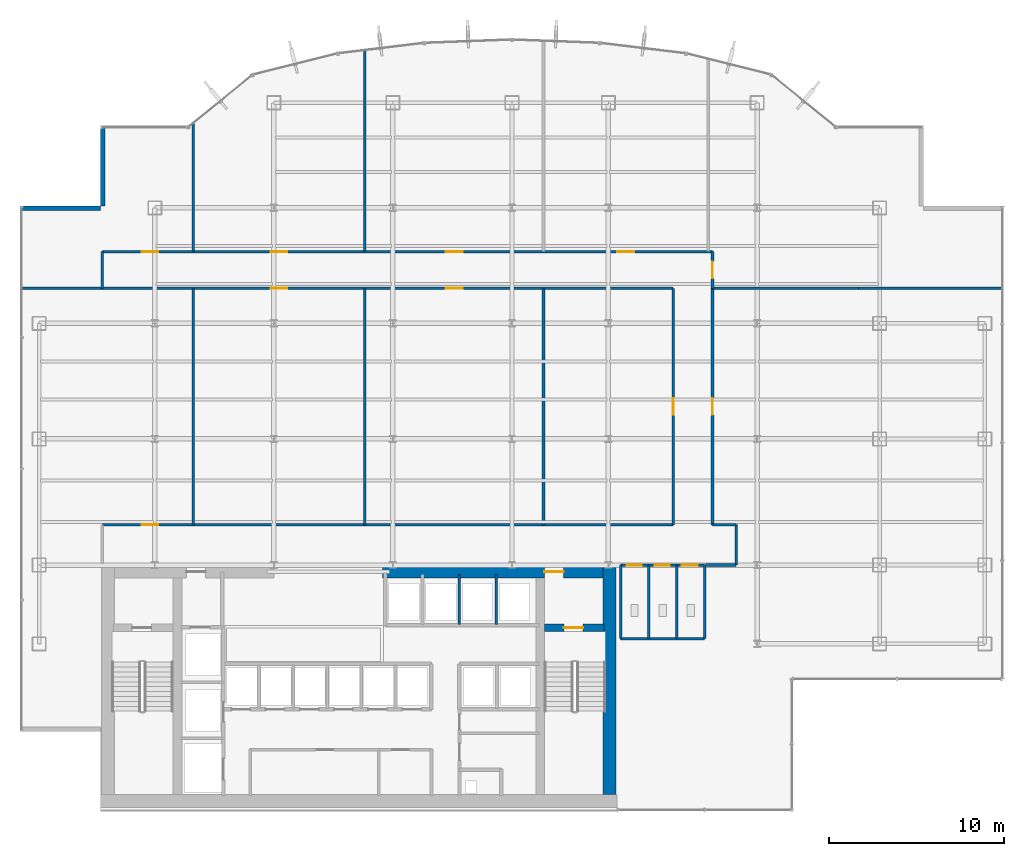
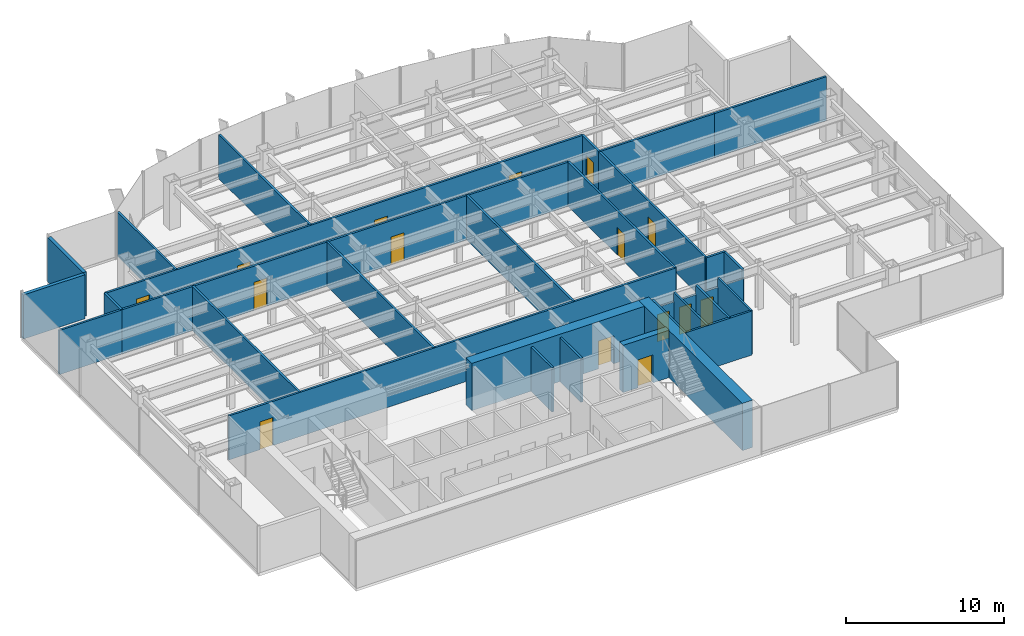
# One storey, part 22 of 26: 31 walls, 15 doors, 15 openings.
"""IFC4 building model written with IfcOpenShell, lengths in metres."""

from ifc_helpers import new_model, si_unit, derived_unit, direction, frame, frame_2d, origin, place, context, subcontext, project, spatial, rectangle, extrude, source, transform, mapped, material, layer, layer_set, type_object, element, fill, save


model = new_model("IFC4")

# Units and contexts
model_context = context("Model", 3, precision=1e-05, world=origin(), true_north=direction((0.0, 1.0)))
body_context = subcontext(model_context, "Body", "Model", "MODEL_VIEW")
ifc_project = project(units=[si_unit("LENGTHUNIT", "METRE"), si_unit("AREAUNIT", "SQUARE_METRE"), si_unit("VOLUMEUNIT", "CUBIC_METRE"), si_unit("PLANEANGLEUNIT", "RADIAN"), si_unit("MASSUNIT", "GRAM", prefix="KILO"), derived_unit("THERMALTRANSMITTANCEUNIT", [(si_unit("POWERUNIT", "WATT"), 1), (si_unit("LENGTHUNIT", "METRE"), -2), (si_unit("THERMODYNAMICTEMPERATUREUNIT", "KELVIN"), -1)])], contexts=[model_context])

# Site, building, storey
site_placement = place(None, origin())
site = spatial("IfcSite", under=ifc_project, at=site_placement, CompositionType="ELEMENT")
building_placement = place(site_placement, origin())
building = spatial("IfcBuilding", under=site, at=building_placement, Name="Skarnbrae Concourse Arena and Tower", CompositionType="ELEMENT")
storey_placement = place(building_placement, frame((0.0, 0.0, 121.5)))
storey = spatial("IfcBuildingStorey", under=building, at=storey_placement, Name="L30", CompositionType="ELEMENT", Elevation=121.5)

# Wall, opening, door
ifc_material_1 = material(Name="Concrete 50 MPa (C50/60)", Category="concrete")
ifc_layer_1 = layer(ifc_material_1, 0.449951171875)
ifc_layer_set_1 = layer_set([ifc_layer_1], Name="Concrete 50 MPa (C50/60)")
wall_type_1 = type_object("IfcWallType", Name="WALL-CORE-450-C50", PredefinedType="SHEAR", material=ifc_layer_set_1)
shared_shape_1 = source(origin(), body_context, "Body", "SweptSolid", [
    extrude(rectangle(XDim=3.389892578125, YDim=0.449951171875, at=frame_2d((1.69482421875, 0.0))), origin(), (0.0, 0.0, 1.0), 3.64990234375),
])
wall_1_placement = place(storey_placement, frame((29.860107421875, 10.419921875, 0.0), z_axis=(0.0, 0.0, 1.0), x_axis=(1.0, 0.0, 0.0)))
wall_1 = element("IfcWall", 1, at=wall_1_placement, inside=storey, type_object=wall_type_1, Name="L30 Rear core shear wall CW-ST2-N", PredefinedType="SHEAR", context=body_context, shape_type="MappedRepresentation", body=[
    mapped(shared_shape_1, transform((0.0, 0.0, 0.0))),
])
opening_1_placement = place(wall_1_placement, frame((1.10009765625, 0.0, 0.0)))
opening_1 = element("IfcOpeningElement", 2, at=opening_1_placement, cuts=wall_1, Name="Opening DT-03", PredefinedType="OPENING", context=body_context, shape_type="SweptSolid", body=[
    extrude(rectangle(XDim=1.10009765625, YDim=2.14990234375, at=frame_2d((0.550048828125, 1.074951171875))), frame((0.0, 0.23486328125, 0.0), z_axis=(0.0, -1.0, 0.0), x_axis=(1.0, 0.0, 0.0)), (0.0, 0.0, 1.0), 0.469970703125),
])
ifc_material_2 = material(Name="Steel CSA G40.21 350W", Category="steel")
door_type_1 = type_object("IfcDoorType", Name="DOOR-FIRE-1100-90M", OperationType="NOTDEFINED", PredefinedType="DOOR", material=ifc_material_2)
shared_shape_2 = source(origin(), body_context, "Body", "SweptSolid", [
    extrude(rectangle(XDim=1.10009765625, YDim=2.14990234375, at=frame_2d((0.550048828125, 1.074951171875))), frame((0.0, 0.02490234375, 0.0), z_axis=(0.0, -1.0, 0.0), x_axis=(1.0, 0.0, 0.0)), (0.0, 0.0, 1.0), 0.050048828125),
])
door_1_placement = place(opening_1_placement, frame((1.10009765625, 0.0, 0.0), z_axis=(0.0, 0.0, 1.0), x_axis=(-1.0, 0.0, 0.0)))
door_1 = element("IfcDoor", 3, at=door_1_placement, inside=storey, type_object=door_type_1, Name="D-0972 Stair ST-2 Door", OperationType="SINGLE_SWING_RIGHT", OverallHeight=2.14990234375, OverallWidth=1.10009765625, PredefinedType="DOOR", context=body_context, shape_type="MappedRepresentation", body=[
    mapped(shared_shape_2, transform((0.0, 0.0, 0.0))),
])
fill(opening_1, door_1)

# Wall
ifc_material_3 = material(Name="Concrete 60 MPa (C60/75)", Category="concrete")
ifc_layer_2 = layer(ifc_material_3, 0.75)
ifc_layer_set_2 = layer_set([ifc_layer_2], Name="Concrete 60 MPa (C60/75)")
wall_type_2 = type_object("IfcWallType", Name="WALL-CORE-750-C60", PredefinedType="SHEAR", material=ifc_layer_set_2)
shared_shape_3 = source(origin(), body_context, "Body", "SweptSolid", [
    extrude(rectangle(XDim=13.10009765625, YDim=0.75, at=frame_2d((6.550048828125, 0.0))), origin(), (0.0, 0.0, 1.0), 3.64990234375),
])
wall_2_placement = place(storey_placement, frame((33.574951171875, 0.89990234375, 0.0), z_axis=(0.0, 0.0, 1.0), x_axis=(0.0, 1.0, 0.0)))
element("IfcWall", 4, at=wall_2_placement, inside=storey, type_object=wall_type_2, Name="L30 Rear core shear wall CW-E", PredefinedType="SHEAR", context=body_context, shape_type="MappedRepresentation", body=[
    mapped(shared_shape_3, transform((0.0, 0.0, 0.0))),
])

# Wall, opening, door
shared_shape_4 = source(origin(), body_context, "Body", "SweptSolid", [
    extrude(rectangle(XDim=12.599853515625, YDim=0.75, at=frame_2d((6.2998046875, 0.0))), origin(), (0.0, 0.0, 1.0), 3.64990234375),
])
wall_3_placement = place(storey_placement, frame((20.60009765625, 13.625, 0.0), z_axis=(0.0, 0.0, 1.0), x_axis=(1.0, 0.0, 0.0)))
wall_3 = element("IfcWall", 5, at=wall_3_placement, inside=storey, type_object=wall_type_2, Name="L30 Rear core shear wall CW-NE", PredefinedType="SHEAR", context=body_context, shape_type="MappedRepresentation", body=[
    mapped(shared_shape_4, transform((0.0, 0.0, 0.0))),
])
opening_2_placement = place(wall_3_placement, frame((9.25, 0.0, 0.0)))
opening_2 = element("IfcOpeningElement", 6, at=opening_2_placement, cuts=wall_3, Name="Opening DT-03", PredefinedType="OPENING", context=body_context, shape_type="SweptSolid", body=[
    extrude(rectangle(XDim=1.10009765625, YDim=2.14990234375, at=frame_2d((0.550048828125, 1.074951171875))), frame((0.0, 0.385009765625, 0.0), z_axis=(0.0, -1.0, 0.0), x_axis=(1.0, 0.0, 0.0)), (0.0, 0.0, 1.0), 0.77001953125),
])
door_2_placement = place(opening_2_placement, origin())
door_2 = element("IfcDoor", 7, at=door_2_placement, inside=storey, type_object=door_type_1, Name="D-0974 Stair ST-2 Vestibule Door", OperationType="SINGLE_SWING_LEFT", OverallHeight=2.14990234375, OverallWidth=1.10009765625, PredefinedType="DOOR", context=body_context, shape_type="MappedRepresentation", body=[
    mapped(shared_shape_2, transform((0.0, 0.0, 0.0))),
])
fill(opening_2, door_2)

# Walls
ifc_material_4 = material(Name="Precast concrete 40 MPa (C40/50)", Category="concrete")
ifc_layer_3 = layer(ifc_material_4, 0.25)
ifc_layer_set_3 = layer_set([ifc_layer_3], Name="Precast concrete 40 MPa (C40/50)")
wall_type_3 = type_object("IfcWallType", Name="WALL-EXT-SPANDREL-250", PredefinedType="STANDARD", material=ifc_layer_set_3)
shared_shape_5 = source(origin(), body_context, "Body", "SweptSolid", [
    extrude(rectangle(XDim=4.5, YDim=0.25, at=frame_2d((2.25, 0.0))), origin(), (0.0, 0.0, 1.0), 3.39990234375),
])
for number, where, z_axis, x_axis, name in (
    (8, (4.625, 39.0, 0.0), (0.0, 0.0, 1.0), (0.0, -1.0, 0.0), "L30 Notched corner insulated return wall 17"),
    (9, (4.5, 34.375, 0.0), (0.0, 0.0, 1.0), (-1.0, 0.0, 0.0), "L30 Notched corner insulated return wall 18"),
):
    element("IfcWall", number, at=place(storey_placement, frame(where, z_axis=z_axis, x_axis=x_axis)), inside=storey, type_object=wall_type_3, Name=name, PredefinedType="STANDARD", context=body_context, shape_type="MappedRepresentation", body=[
        mapped(shared_shape_5, transform((0.0, 0.0, 0.0))),
    ])
ifc_material_5 = material(Name="Gypsum board on cold-formed steel studs", Category="steel")
ifc_layer_4 = layer(ifc_material_5, 0.14990234375)
ifc_layer_set_4 = layer_set([ifc_layer_4], Name="Gypsum board on cold-formed steel studs")
wall_type_4 = type_object("IfcWallType", Name="WALL-PART-150", PredefinedType="PARTITIONING", material=ifc_layer_set_4)
shared_shape_6 = source(origin(), body_context, "Body", "SweptSolid", [
    extrude(rectangle(XDim=2.849853515625, YDim=0.14990234375, at=frame_2d((1.4248046875, 0.0))), origin(), (0.0, 0.0, 1.0), 3.39990234375),
])
for number, where, z_axis, x_axis, name in (
    (10, (24.989990234375, 10.60009765625, 0.0), (0.0, 0.0, 1.0), (0.0, 1.0, 0.0), "L30 Interior partition wall W-L30-B3N-P2"),
    (11, (27.090087890625, 10.60009765625, 0.0), (0.0, 0.0, 1.0), (0.0, 1.0, 0.0), "L30 Interior partition wall W-L30-B3N-P3"),
):
    element("IfcWall", number, at=place(storey_placement, frame(where, z_axis=z_axis, x_axis=x_axis)), inside=storey, type_object=wall_type_4, Name=name, PredefinedType="PARTITIONING", context=body_context, shape_type="MappedRepresentation", body=[
        mapped(shared_shape_6, transform((0.0, 0.0, 0.0))),
    ])
shared_shape_7 = source(origin(), body_context, "Body", "SweptSolid", [
    extrude(rectangle(XDim=4.800048828125, YDim=0.14990234375, at=frame_2d((2.39990234375, 0.0))), origin(), (0.0, 0.0, 1.0), 3.39990234375),
])
wall_4_placement = place(storey_placement, frame((34.199951171875, 9.800048828125, 0.0), z_axis=(0.0, 0.0, 1.0), x_axis=(1.0, 0.0, 0.0)))
element("IfcWall", 12, at=wall_4_placement, inside=storey, type_object=wall_type_4, Name="L30 Interior partition wall W-L30-WC-S", PredefinedType="PARTITIONING", context=body_context, shape_type="MappedRepresentation", body=[
    mapped(shared_shape_7, transform((0.0, 0.0, 0.0))),
])
shared_shape_8 = source(origin(), body_context, "Body", "SweptSolid", [
    extrude(rectangle(XDim=4.179931640625, YDim=0.14990234375, at=frame_2d((2.08984375, 0.0))), origin(), (0.0, 0.0, 1.0), 3.39990234375),
])
for number, where, z_axis, x_axis, name in (
    (13, (39.0, 9.800048828125, 0.0), (0.0, 0.0, 1.0), (0.0, 1.0, 0.0), "L30 Interior partition wall W-L30-WC-E"),
    (14, (34.199951171875, 9.800048828125, 0.0), (0.0, 0.0, 1.0), (0.0, 1.0, 0.0), "L30 Interior partition wall W-L30-WC-W"),
    (15, (35.800048828125, 9.800048828125, 0.0), (0.0, 0.0, 1.0), (0.0, 1.0, 0.0), "L30 Interior partition wall W-L30-WC-D1"),
    (16, (37.39990234375, 9.800048828125, 0.0), (0.0, 0.0, 1.0), (0.0, 1.0, 0.0), "L30 Interior partition wall W-L30-WC-D2"),
):
    element("IfcWall", number, at=place(storey_placement, frame(where, z_axis=z_axis, x_axis=x_axis)), inside=storey, type_object=wall_type_4, Name=name, PredefinedType="PARTITIONING", context=body_context, shape_type="MappedRepresentation", body=[
        mapped(shared_shape_8, transform((0.0, 0.0, 0.0))),
    ])

# Wall, openings, doors
shared_shape_9 = source(origin(), body_context, "Body", "SweptSolid", [
    extrude(rectangle(XDim=4.800048828125, YDim=0.14990234375, at=frame_2d((2.39990234375, 0.0))), origin(), (0.0, 0.0, 1.0), 2.701904296875),
])
wall_5_placement = place(storey_placement, frame((34.199951171875, 13.97998046875, 0.0), z_axis=(0.0, 0.0, 1.0), x_axis=(1.0, 0.0, 0.0)))
wall_5 = element("IfcWall", 17, at=wall_5_placement, inside=storey, type_object=wall_type_4, Name="L30 Interior partition wall W-L30-WC-N", PredefinedType="PARTITIONING", context=body_context, shape_type="MappedRepresentation", body=[
    mapped(shared_shape_9, transform((0.0, 0.0, 0.0))),
])
opening_3_placement = place(wall_5_placement, frame((0.35009765625, 0.0, 0.0)))
opening_3 = element("IfcOpeningElement", 18, at=opening_3_placement, cuts=wall_5, Name="Opening DT-06", PredefinedType="OPENING", context=body_context, shape_type="SweptSolid", body=[
    extrude(rectangle(XDim=0.85009765625, YDim=2.10009765625, at=frame_2d((0.425048828125, 1.050048828125))), frame((0.0, 0.0849609375, 0.0), z_axis=(0.0, -1.0, 0.0), x_axis=(1.0, 0.0, 0.0)), (0.0, 0.0, 1.0), 0.169921875),
])
opening_4_placement = place(wall_5_placement, frame((1.949951171875, 0.0, 0.0)))
opening_4 = element("IfcOpeningElement", 19, at=opening_4_placement, cuts=wall_5, Name="Opening DT-06", PredefinedType="OPENING", context=body_context, shape_type="SweptSolid", body=[
    extrude(rectangle(XDim=0.85009765625, YDim=2.10009765625, at=frame_2d((0.425048828125, 1.050048828125))), frame((0.0, 0.0849609375, 0.0), z_axis=(0.0, -1.0, 0.0), x_axis=(1.0, 0.0, 0.0)), (0.0, 0.0, 1.0), 0.169921875),
])
opening_5_placement = place(wall_5_placement, frame((3.5, 0.0, 0.0)))
opening_5 = element("IfcOpeningElement", 20, at=opening_5_placement, cuts=wall_5, Name="Opening DT-05", PredefinedType="OPENING", context=body_context, shape_type="SweptSolid", body=[
    extrude(rectangle(XDim=0.89990234375, YDim=2.10009765625, at=frame_2d((0.449951171875, 1.050048828125))), frame((0.0, 0.0849609375, 0.0), z_axis=(0.0, -1.0, 0.0), x_axis=(1.0, 0.0, 0.0)), (0.0, 0.0, 1.0), 0.169921875),
])
ifc_material_6 = material(Name="Architectural oak veneer timber leaf", Category="wood")
door_type_2 = type_object("IfcDoorType", Name="DOOR-INT-850", OperationType="NOTDEFINED", PredefinedType="DOOR", material=ifc_material_6)
shared_shape_10 = source(origin(), body_context, "Body", "SweptSolid", [
    extrude(rectangle(XDim=0.85009765625, YDim=2.10009765625, at=frame_2d((0.425048828125, 1.050048828125))), frame((0.0, 0.02490234375, 0.0), z_axis=(0.0, -1.0, 0.0), x_axis=(1.0, 0.0, 0.0)), (0.0, 0.0, 1.0), 0.050048828125),
])
door_3_placement = place(opening_3_placement, frame((0.85009765625, 0.0, 0.0), z_axis=(0.0, 0.0, 1.0), x_axis=(-1.0, 0.0, 0.0)))
door_3 = element("IfcDoor", 21, at=door_3_placement, inside=storey, type_object=door_type_2, Name="D-0988 Male Washroom Door", OperationType="SINGLE_SWING_LEFT", OverallHeight=2.10009765625, OverallWidth=0.85009765625, PredefinedType="DOOR", context=body_context, shape_type="MappedRepresentation", body=[
    mapped(shared_shape_10, transform((0.0, 0.0, 0.0))),
])
fill(opening_3, door_3)
door_4_placement = place(opening_4_placement, frame((0.85009765625, 0.0, 0.0), z_axis=(0.0, 0.0, 1.0), x_axis=(-1.0, 0.0, 0.0)))
door_4 = element("IfcDoor", 22, at=door_4_placement, inside=storey, type_object=door_type_2, Name="D-0989 Female Washroom Door", OperationType="SINGLE_SWING_RIGHT", OverallHeight=2.10009765625, OverallWidth=0.85009765625, PredefinedType="DOOR", context=body_context, shape_type="MappedRepresentation", body=[
    mapped(shared_shape_10, transform((0.0, 0.0, 0.0))),
])
fill(opening_4, door_4)
door_type_3 = type_object("IfcDoorType", Name="DOOR-INT-900", OperationType="NOTDEFINED", PredefinedType="DOOR", material=ifc_material_6)
shared_shape_11 = source(origin(), body_context, "Body", "SweptSolid", [
    extrude(rectangle(XDim=0.89990234375, YDim=2.10009765625, at=frame_2d((0.449951171875, 1.050048828125))), frame((0.0, 0.02490234375, 0.0), z_axis=(0.0, -1.0, 0.0), x_axis=(1.0, 0.0, 0.0)), (0.0, 0.0, 1.0), 0.050048828125),
])
door_5_placement = place(opening_5_placement, frame((0.89990234375, 0.0, 0.0), z_axis=(0.0, 0.0, 1.0), x_axis=(-1.0, 0.0, 0.0)))
door_5 = element("IfcDoor", 23, at=door_5_placement, inside=storey, type_object=door_type_3, Name="D-0990 Accessible WC Door", OperationType="SINGLE_SWING_LEFT", OverallHeight=2.10009765625, OverallWidth=0.89990234375, PredefinedType="DOOR", context=body_context, shape_type="MappedRepresentation", body=[
    mapped(shared_shape_11, transform((0.0, 0.0, 0.0))),
])
fill(opening_5, door_5)

# Walls
ifc_layer_5 = layer(ifc_material_5, 0.14990234375)
ifc_layer_set_5 = layer_set([ifc_layer_5], Name="Gypsum board on cold-formed steel studs")
wall_type_5 = type_object("IfcWallType", Name="WALL-PART-150-1HR", PredefinedType="PARTITIONING", material=ifc_layer_set_5)
shared_shape_12 = source(origin(), body_context, "Body", "SweptSolid", [
    extrude(rectangle(XDim=2.300048828125, YDim=0.14990234375, at=frame_2d((1.14990234375, 0.0))), origin(), (0.0, 0.0, 1.0), 3.39990234375),
])
wall_6_placement = place(storey_placement, frame((40.800048828125, 16.300048828125, 0.0), z_axis=(0.0, 0.0, 1.0), x_axis=(0.0, -1.0, 0.0)))
element("IfcWall", 24, at=wall_6_placement, inside=storey, type_object=wall_type_5, Name="L30 Interior partition wall W-L30-COR-10", PredefinedType="PARTITIONING", context=body_context, shape_type="MappedRepresentation", body=[
    mapped(shared_shape_12, transform((0.0, 0.0, 0.0))),
])
shared_shape_13 = source(origin(), body_context, "Body", "SweptSolid", [
    extrude(rectangle(XDim=1.75, YDim=0.14990234375, at=frame_2d((0.875, 0.0))), origin(), (0.0, 0.0, 1.0), 2.701904296875),
])
wall_7_placement = place(storey_placement, frame((40.800048828125, 14.0, 0.0), z_axis=(0.0, 0.0, 1.0), x_axis=(-1.0, 0.0, 0.0)))
element("IfcWall", 25, at=wall_7_placement, inside=storey, type_object=wall_type_5, Name="L30 Interior partition wall W-L30-COR-11", PredefinedType="PARTITIONING", context=body_context, shape_type="MappedRepresentation", body=[
    mapped(shared_shape_13, transform((0.0, 0.0, 0.0))),
])

# Wall, opening, door
shared_shape_14 = source(origin(), body_context, "Body", "SweptSolid", [
    extrude(rectangle(XDim=32.599853515625, YDim=0.14990234375, at=frame_2d((16.2998046875, 0.0))), origin(), (0.0, 0.0, 1.0), 3.39990234375),
])
wall_8_placement = place(storey_placement, frame((4.60009765625, 16.300048828125, 0.0), z_axis=(0.0, 0.0, 1.0), x_axis=(1.0, 0.0, 0.0)))
wall_8 = element("IfcWall", 26, at=wall_8_placement, inside=storey, type_object=wall_type_5, Name="L30 Interior partition wall W-L30-COR-02", PredefinedType="PARTITIONING", context=body_context, shape_type="MappedRepresentation", body=[
    mapped(shared_shape_14, transform((0.0, 0.0, 0.0))),
])
opening_6_placement = place(wall_8_placement, frame((2.2548828125, 0.0, 0.0)))
opening_6 = element("IfcOpeningElement", 27, at=opening_6_placement, cuts=wall_8, Name="Opening DT-04", PredefinedType="OPENING", context=body_context, shape_type="SweptSolid", body=[
    extrude(rectangle(XDim=0.949951171875, YDim=2.14990234375, at=frame_2d((0.47509765625, 1.074951171875))), frame((0.0, 0.0849609375, 0.0), z_axis=(0.0, -1.0, 0.0), x_axis=(1.0, 0.0, 0.0)), (0.0, 0.0, 1.0), 0.169921875),
])
door_type_4 = type_object("IfcDoorType", Name="DOOR-INT-950-45M", OperationType="NOTDEFINED", PredefinedType="DOOR", material=ifc_material_2)
shared_shape_15 = source(origin(), body_context, "Body", "SweptSolid", [
    extrude(rectangle(XDim=0.949951171875, YDim=2.14990234375, at=frame_2d((0.47509765625, 1.074951171875))), frame((0.0, 0.02490234375, 0.0), z_axis=(0.0, -1.0, 0.0), x_axis=(1.0, 0.0, 0.0)), (0.0, 0.0, 1.0), 0.050048828125),
])
door_6_placement = place(opening_6_placement, origin())
door_6 = element("IfcDoor", 28, at=door_6_placement, inside=storey, type_object=door_type_4, Name="D-0991 L30 Suite Door 01", OperationType="SINGLE_SWING_RIGHT", OverallHeight=2.14990234375, OverallWidth=0.949951171875, PredefinedType="DOOR", context=body_context, shape_type="MappedRepresentation", body=[
    mapped(shared_shape_15, transform((0.0, 0.0, 0.0))),
])
fill(opening_6, door_6)

# Wall, openings, doors
wall_9_placement = place(storey_placement, frame((37.199951171875, 29.800048828125, 0.0), z_axis=(0.0, 0.0, 1.0), x_axis=(-1.0, 0.0, 0.0)))
wall_9 = element("IfcWall", 29, at=wall_9_placement, inside=storey, type_object=wall_type_5, Name="L30 Interior partition wall W-L30-COR-04", PredefinedType="PARTITIONING", context=body_context, shape_type="MappedRepresentation", body=[
    mapped(shared_shape_14, transform((0.0, 0.0, 0.0))),
])
opening_7_placement = place(wall_9_placement, frame((22.02490234375, 0.0, 0.0)))
opening_7 = element("IfcOpeningElement", 30, at=opening_7_placement, cuts=wall_9, Name="Opening DT-04", PredefinedType="OPENING", context=body_context, shape_type="SweptSolid", body=[
    extrude(rectangle(XDim=0.949951171875, YDim=2.14990234375, at=frame_2d((0.47509765625, 1.074951171875))), frame((0.0, 0.0849609375, 0.0), z_axis=(0.0, -1.0, 0.0), x_axis=(1.0, 0.0, 0.0)), (0.0, 0.0, 1.0), 0.169921875),
])
opening_8_placement = place(wall_9_placement, frame((12.02490234375, 0.0, 0.0)))
opening_8 = element("IfcOpeningElement", 31, at=opening_8_placement, cuts=wall_9, Name="Opening DT-04", PredefinedType="OPENING", context=body_context, shape_type="SweptSolid", body=[
    extrude(rectangle(XDim=0.949951171875, YDim=2.14990234375, at=frame_2d((0.47509765625, 1.074951171875))), frame((0.0, 0.0849609375, 0.0), z_axis=(0.0, -1.0, 0.0), x_axis=(1.0, 0.0, 0.0)), (0.0, 0.0, 1.0), 0.169921875),
])
door_7_placement = place(opening_7_placement, origin())
door_7 = element("IfcDoor", 32, at=door_7_placement, inside=storey, type_object=door_type_4, Name="D-0993 L30 Suite Door 03", OperationType="SINGLE_SWING_RIGHT", OverallHeight=2.14990234375, OverallWidth=0.949951171875, PredefinedType="DOOR", context=body_context, shape_type="MappedRepresentation", body=[
    mapped(shared_shape_15, transform((0.0, 0.0, 0.0))),
])
fill(opening_7, door_7)
door_8_placement = place(opening_8_placement, origin())
door_8 = element("IfcDoor", 33, at=door_8_placement, inside=storey, type_object=door_type_4, Name="D-0995 L30 Suite Door 05", OperationType="SINGLE_SWING_RIGHT", OverallHeight=2.14990234375, OverallWidth=0.949951171875, PredefinedType="DOOR", context=body_context, shape_type="MappedRepresentation", body=[
    mapped(shared_shape_15, transform((0.0, 0.0, 0.0))),
])
fill(opening_8, door_8)

# Wall, opening, door
shared_shape_16 = source(origin(), body_context, "Body", "SweptSolid", [
    extrude(rectangle(XDim=13.5, YDim=0.14990234375, at=frame_2d((6.75, 0.0))), origin(), (0.0, 0.0, 1.0), 3.39990234375),
])
wall_10_placement = place(storey_placement, frame((37.199951171875, 16.300048828125, 0.0), z_axis=(0.0, 0.0, 1.0), x_axis=(0.0, 1.0, 0.0)))
wall_10 = element("IfcWall", 34, at=wall_10_placement, inside=storey, type_object=wall_type_5, Name="L30 Interior partition wall W-L30-COR-03", PredefinedType="PARTITIONING", context=body_context, shape_type="MappedRepresentation", body=[
    mapped(shared_shape_16, transform((0.0, 0.0, 0.0))),
])
opening_9_placement = place(wall_10_placement, frame((6.27490234375, 0.0, 0.0)))
opening_9 = element("IfcOpeningElement", 35, at=opening_9_placement, cuts=wall_10, Name="Opening DT-04", PredefinedType="OPENING", context=body_context, shape_type="SweptSolid", body=[
    extrude(rectangle(XDim=0.949951171875, YDim=2.14990234375, at=frame_2d((0.47509765625, 1.074951171875))), frame((0.0, 0.0849609375, 0.0), z_axis=(0.0, -1.0, 0.0), x_axis=(1.0, 0.0, 0.0)), (0.0, 0.0, 1.0), 0.169921875),
])
door_9_placement = place(opening_9_placement, origin())
door_9 = element("IfcDoor", 36, at=door_9_placement, inside=storey, type_object=door_type_4, Name="D-0997 L30 Suite Door 07", OperationType="SINGLE_SWING_RIGHT", OverallHeight=2.14990234375, OverallWidth=0.949951171875, PredefinedType="DOOR", context=body_context, shape_type="MappedRepresentation", body=[
    mapped(shared_shape_15, transform((0.0, 0.0, 0.0))),
])
fill(opening_9, door_9)

wall_11_placement = place(storey_placement, frame((39.449951171875, 29.800048828125, 0.0), z_axis=(0.0, 0.0, 1.0), x_axis=(0.0, -1.0, 0.0)))
wall_11 = element("IfcWall", 37, at=wall_11_placement, inside=storey, type_object=wall_type_5, Name="L30 Interior partition wall W-L30-COR-08", PredefinedType="PARTITIONING", context=body_context, shape_type="MappedRepresentation", body=[
    mapped(shared_shape_16, transform((0.0, 0.0, 0.0))),
])
opening_10_placement = place(wall_11_placement, frame((6.27490234375, 0.0, 0.0)))
opening_10 = element("IfcOpeningElement", 38, at=opening_10_placement, cuts=wall_11, Name="Opening DT-04", PredefinedType="OPENING", context=body_context, shape_type="SweptSolid", body=[
    extrude(rectangle(XDim=0.949951171875, YDim=2.14990234375, at=frame_2d((0.47509765625, 1.074951171875))), frame((0.0, 0.0849609375, 0.0), z_axis=(0.0, -1.0, 0.0), x_axis=(1.0, 0.0, 0.0)), (0.0, 0.0, 1.0), 0.169921875),
])
door_10_placement = place(opening_10_placement, origin())
door_10 = element("IfcDoor", 39, at=door_10_placement, inside=storey, type_object=door_type_4, Name="D-1000 L30 Suite Door 10", OperationType="SINGLE_SWING_LEFT", OverallHeight=2.14990234375, OverallWidth=0.949951171875, PredefinedType="DOOR", context=body_context, shape_type="MappedRepresentation", body=[
    mapped(shared_shape_15, transform((0.0, 0.0, 0.0))),
])
fill(opening_10, door_10)

# Walls
for number, where, z_axis, x_axis, name in (
    (40, (9.800048828125, 29.800048828125, 0.0), (0.0, 0.0, 1.0), (0.0, -1.0, 0.0), "L30 Interior partition wall W-L30-DEM-13"),
    (41, (19.60009765625, 29.800048828125, 0.0), (0.0, 0.0, 1.0), (0.0, -1.0, 0.0), "L30 Interior partition wall W-L30-DEM-15"),
    (42, (29.800048828125, 29.800048828125, 0.0), (0.0, 0.0, 1.0), (0.0, -1.0, 0.0), "L30 Interior partition wall W-L30-DEM-17"),
):
    element("IfcWall", number, at=place(storey_placement, frame(where, z_axis=z_axis, x_axis=x_axis)), inside=storey, type_object=wall_type_4, Name=name, PredefinedType="PARTITIONING", context=body_context, shape_type="MappedRepresentation", body=[
        mapped(shared_shape_16, transform((0.0, 0.0, 0.0))),
    ])
shared_shape_17 = source(origin(), body_context, "Body", "SweptSolid", [
    extrude(rectangle(XDim=2.099853515625, YDim=0.14990234375, at=frame_2d((1.0498046875, 0.0))), origin(), (0.0, 0.0, 1.0), 3.39990234375),
])
wall_12_placement = place(storey_placement, frame((4.60009765625, 29.800048828125, 0.0), z_axis=(0.0, 0.0, 1.0), x_axis=(0.0, 1.0, 0.0)))
element("IfcWall", 43, at=wall_12_placement, inside=storey, type_object=wall_type_5, Name="L30 Interior partition wall W-L30-COR-05", PredefinedType="PARTITIONING", context=body_context, shape_type="MappedRepresentation", body=[
    mapped(shared_shape_17, transform((0.0, 0.0, 0.0))),
])

# Wall, opening, door
wall_13_placement = place(storey_placement, frame((39.449951171875, 31.89990234375, 0.0), z_axis=(0.0, 0.0, 1.0), x_axis=(0.0, -1.0, 0.0)))
wall_13 = element("IfcWall", 44, at=wall_13_placement, inside=storey, type_object=wall_type_5, Name="L30 Interior partition wall W-L30-COR-07", PredefinedType="PARTITIONING", context=body_context, shape_type="MappedRepresentation", body=[
    mapped(shared_shape_17, transform((0.0, 0.0, 0.0))),
])
opening_11_placement = place(wall_13_placement, frame((0.574951171875, 0.0, 0.0)))
opening_11 = element("IfcOpeningElement", 45, at=opening_11_placement, cuts=wall_13, Name="Opening DT-04", PredefinedType="OPENING", context=body_context, shape_type="SweptSolid", body=[
    extrude(rectangle(XDim=0.949951171875, YDim=2.14990234375, at=frame_2d((0.47509765625, 1.074951171875))), frame((0.0, 0.0849609375, 0.0), z_axis=(0.0, -1.0, 0.0), x_axis=(1.0, 0.0, 0.0)), (0.0, 0.0, 1.0), 0.169921875),
])
door_11_placement = place(opening_11_placement, origin())
door_11 = element("IfcDoor", 46, at=door_11_placement, inside=storey, type_object=door_type_4, Name="D-0999 L30 Suite Door 09", OperationType="SINGLE_SWING_RIGHT", OverallHeight=2.14990234375, OverallWidth=0.949951171875, PredefinedType="DOOR", context=body_context, shape_type="MappedRepresentation", body=[
    mapped(shared_shape_15, transform((0.0, 0.0, 0.0))),
])
fill(opening_11, door_11)

# Wall, openings, doors
shared_shape_18 = source(origin(), body_context, "Body", "SweptSolid", [
    extrude(rectangle(XDim=34.849853515625, YDim=0.14990234375, at=frame_2d((17.4248046875, 0.0))), origin(), (0.0, 0.0, 1.0), 3.39990234375),
])
wall_14_placement = place(storey_placement, frame((4.60009765625, 31.89990234375, 0.0), z_axis=(0.0, 0.0, 1.0), x_axis=(1.0, 0.0, 0.0)))
wall_14 = element("IfcWall", 47, at=wall_14_placement, inside=storey, type_object=wall_type_5, Name="L30 Interior partition wall W-L30-COR-06", PredefinedType="PARTITIONING", context=body_context, shape_type="MappedRepresentation", body=[
    mapped(shared_shape_18, transform((0.0, 0.0, 0.0))),
])
opening_12_placement = place(wall_14_placement, frame((2.2548828125, 0.0, 0.0)))
opening_12 = element("IfcOpeningElement", 48, at=opening_12_placement, cuts=wall_14, Name="Opening DT-04", PredefinedType="OPENING", context=body_context, shape_type="SweptSolid", body=[
    extrude(rectangle(XDim=0.949951171875, YDim=2.14990234375, at=frame_2d((0.47509765625, 1.074951171875))), frame((0.0, 0.0849609375, 0.0), z_axis=(0.0, -1.0, 0.0), x_axis=(1.0, 0.0, 0.0)), (0.0, 0.0, 1.0), 0.169921875),
])
opening_13_placement = place(wall_14_placement, frame((9.625, 0.0, 0.0)))
opening_13 = element("IfcOpeningElement", 49, at=opening_13_placement, cuts=wall_14, Name="Opening DT-04", PredefinedType="OPENING", context=body_context, shape_type="SweptSolid", body=[
    extrude(rectangle(XDim=0.949951171875, YDim=2.14990234375, at=frame_2d((0.47509765625, 1.074951171875))), frame((0.0, 0.0849609375, 0.0), z_axis=(0.0, -1.0, 0.0), x_axis=(1.0, 0.0, 0.0)), (0.0, 0.0, 1.0), 0.169921875),
])
opening_14_placement = place(wall_14_placement, frame((19.625, 0.0, 0.0)))
opening_14 = element("IfcOpeningElement", 50, at=opening_14_placement, cuts=wall_14, Name="Opening DT-04", PredefinedType="OPENING", context=body_context, shape_type="SweptSolid", body=[
    extrude(rectangle(XDim=0.949951171875, YDim=2.14990234375, at=frame_2d((0.47509765625, 1.074951171875))), frame((0.0, 0.0849609375, 0.0), z_axis=(0.0, -1.0, 0.0), x_axis=(1.0, 0.0, 0.0)), (0.0, 0.0, 1.0), 0.169921875),
])
opening_15_placement = place(wall_14_placement, frame((29.419921875, 0.0, 0.0)))
opening_15 = element("IfcOpeningElement", 51, at=opening_15_placement, cuts=wall_14, Name="Opening DT-04", PredefinedType="OPENING", context=body_context, shape_type="SweptSolid", body=[
    extrude(rectangle(XDim=0.949951171875, YDim=2.14990234375, at=frame_2d((0.47509765625, 1.074951171875))), frame((0.0, 0.0849609375, 0.0), z_axis=(0.0, -1.0, 0.0), x_axis=(1.0, 0.0, 0.0)), (0.0, 0.0, 1.0), 0.169921875),
])
door_12_placement = place(opening_12_placement, origin())
door_12 = element("IfcDoor", 52, at=door_12_placement, inside=storey, type_object=door_type_4, Name="D-0992 L30 Suite Door 02", OperationType="SINGLE_SWING_LEFT", OverallHeight=2.14990234375, OverallWidth=0.949951171875, PredefinedType="DOOR", context=body_context, shape_type="MappedRepresentation", body=[
    mapped(shared_shape_15, transform((0.0, 0.0, 0.0))),
])
fill(opening_12, door_12)
door_13_placement = place(opening_13_placement, origin())
door_13 = element("IfcDoor", 53, at=door_13_placement, inside=storey, type_object=door_type_4, Name="D-0994 L30 Suite Door 04", OperationType="SINGLE_SWING_LEFT", OverallHeight=2.14990234375, OverallWidth=0.949951171875, PredefinedType="DOOR", context=body_context, shape_type="MappedRepresentation", body=[
    mapped(shared_shape_15, transform((0.0, 0.0, 0.0))),
])
fill(opening_13, door_13)
door_14_placement = place(opening_14_placement, origin())
door_14 = element("IfcDoor", 54, at=door_14_placement, inside=storey, type_object=door_type_4, Name="D-0996 L30 Suite Door 06", OperationType="SINGLE_SWING_LEFT", OverallHeight=2.14990234375, OverallWidth=0.949951171875, PredefinedType="DOOR", context=body_context, shape_type="MappedRepresentation", body=[
    mapped(shared_shape_15, transform((0.0, 0.0, 0.0))),
])
fill(opening_14, door_14)
door_15_placement = place(opening_15_placement, origin())
door_15 = element("IfcDoor", 55, at=door_15_placement, inside=storey, type_object=door_type_4, Name="D-0998 L30 Suite Door 08", OperationType="SINGLE_SWING_LEFT", OverallHeight=2.14990234375, OverallWidth=0.949951171875, PredefinedType="DOOR", context=body_context, shape_type="MappedRepresentation", body=[
    mapped(shared_shape_15, transform((0.0, 0.0, 0.0))),
])
fill(opening_15, door_15)

# Walls
shared_shape_19 = source(origin(), body_context, "Body", "SweptSolid", [
    extrude(rectangle(XDim=1.35009765625, YDim=0.14990234375, at=frame_2d((0.675048828125, 0.0))), origin(), (0.0, 0.0, 1.0), 3.39990234375),
])
wall_15_placement = place(storey_placement, frame((39.449951171875, 16.300048828125, 0.0), z_axis=(0.0, 0.0, 1.0), x_axis=(1.0, 0.0, 0.0)))
element("IfcWall", 56, at=wall_15_placement, inside=storey, type_object=wall_type_5, Name="L30 Interior partition wall W-L30-COR-09", PredefinedType="PARTITIONING", context=body_context, shape_type="MappedRepresentation", body=[
    mapped(shared_shape_19, transform((0.0, 0.0, 0.0))),
])
shared_shape_20 = source(origin(), body_context, "Body", "SweptSolid", [
    extrude(rectangle(XDim=4.580078125, YDim=0.14990234375, at=frame_2d((2.2900390625, 0.0))), origin(), (0.0, 0.0, 1.0), 3.39990234375),
])
wall_16_placement = place(storey_placement, frame((0.02001953125, 29.800048828125, 0.0), z_axis=(0.0, 0.0, 1.0), x_axis=(1.0, 0.0, 0.0)))
element("IfcWall", 57, at=wall_16_placement, inside=storey, type_object=wall_type_4, Name="L30 Interior partition wall W-L30-DEM-12", PredefinedType="PARTITIONING", context=body_context, shape_type="MappedRepresentation", body=[
    mapped(shared_shape_20, transform((0.0, 0.0, 0.0))),
])
shared_shape_21 = source(origin(), body_context, "Body", "SweptSolid", [
    extrude(rectangle(XDim=7.318115234375, YDim=0.14990234375, at=frame_2d((3.6591796875, 0.0))), origin(), (0.0, 0.0, 1.0), 3.39990234375),
])
wall_17_placement = place(storey_placement, frame((9.800048828125, 39.218017578125, 0.0), z_axis=(0.0, 0.0, 1.0), x_axis=(0.0, -1.0, 0.0)))
element("IfcWall", 58, at=wall_17_placement, inside=storey, type_object=wall_type_4, Name="L30 Interior partition wall W-L30-DEM-14", PredefinedType="PARTITIONING", context=body_context, shape_type="MappedRepresentation", body=[
    mapped(shared_shape_21, transform((0.0, 0.0, 0.0))),
])
shared_shape_22 = source(origin(), body_context, "Body", "SweptSolid", [
    extrude(rectangle(XDim=11.482177734375, YDim=0.14990234375, at=frame_2d((5.7412109375, 0.0))), origin(), (0.0, 0.0, 1.0), 3.39990234375),
])
wall_18_placement = place(storey_placement, frame((19.60009765625, 43.382080078125, 0.0), z_axis=(0.0, 0.0, 1.0), x_axis=(0.0, -1.0, 0.0)))
element("IfcWall", 59, at=wall_18_placement, inside=storey, type_object=wall_type_4, Name="L30 Interior partition wall W-L30-DEM-16", PredefinedType="PARTITIONING", context=body_context, shape_type="MappedRepresentation", body=[
    mapped(shared_shape_22, transform((0.0, 0.0, 0.0))),
])
shared_shape_23 = source(origin(), body_context, "Body", "SweptSolid", [
    extrude(rectangle(XDim=8.179931640625, YDim=0.14990234375, at=frame_2d((4.08984375, 0.0))), origin(), (0.0, 0.0, 1.0), 3.39990234375),
])
wall_19_placement = place(storey_placement, frame((55.97998046875, 29.800048828125, 0.0), z_axis=(0.0, 0.0, 1.0), x_axis=(-1.0, 0.0, 0.0)))
element("IfcWall", 60, at=wall_19_placement, inside=storey, type_object=wall_type_4, Name="L30 Interior partition wall W-L30-DEM-20", PredefinedType="PARTITIONING", context=body_context, shape_type="MappedRepresentation", body=[
    mapped(shared_shape_23, transform((0.0, 0.0, 0.0))),
])
shared_shape_24 = source(origin(), body_context, "Body", "SweptSolid", [
    extrude(rectangle(XDim=8.35009765625, YDim=0.14990234375, at=frame_2d((4.175048828125, 0.0))), origin(), (0.0, 0.0, 1.0), 3.39990234375),
])
wall_20_placement = place(storey_placement, frame((47.800048828125, 29.800048828125, 0.0), z_axis=(0.0, 0.0, 1.0), x_axis=(-1.0, 0.0, 0.0)))
element("IfcWall", 61, at=wall_20_placement, inside=storey, type_object=wall_type_4, Name="L30 Interior partition wall W-L30-DEM-21", PredefinedType="PARTITIONING", context=body_context, shape_type="MappedRepresentation", body=[
    mapped(shared_shape_24, transform((0.0, 0.0, 0.0))),
])

save(model, "model.ifc")
